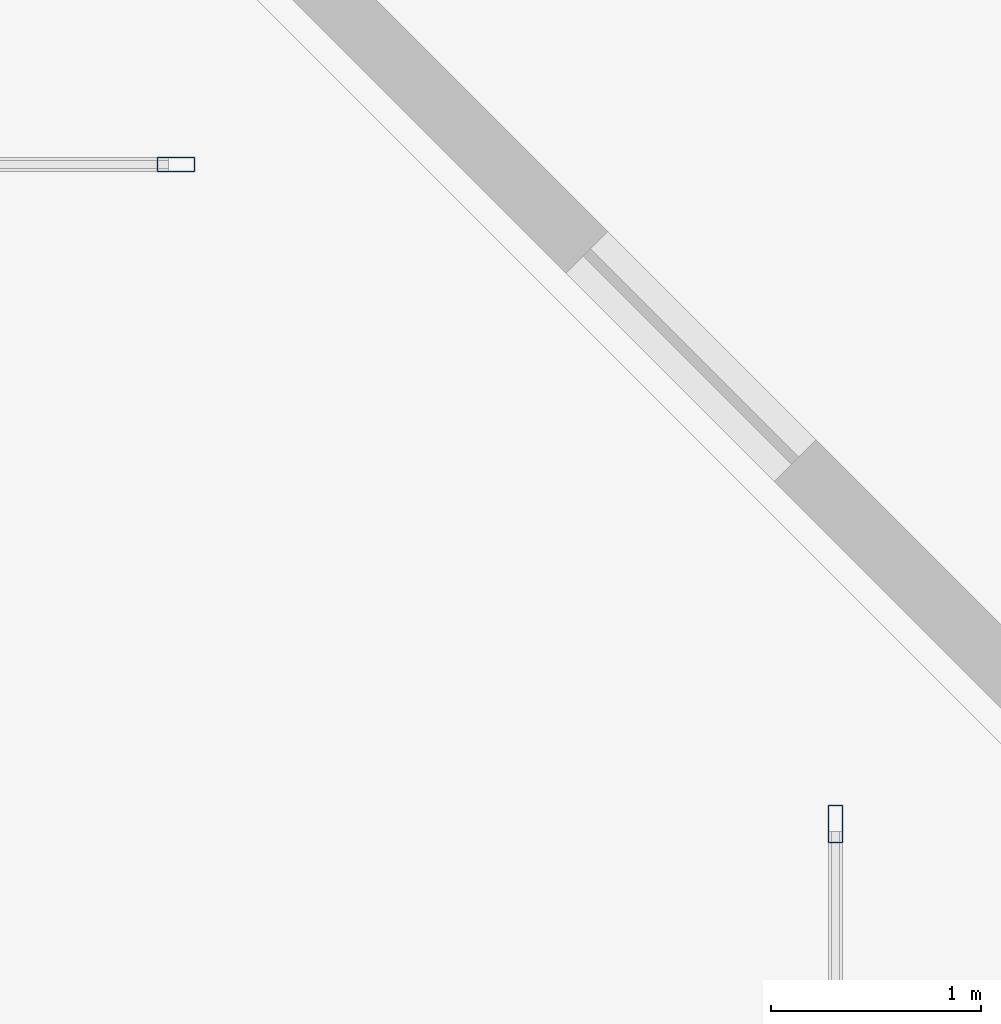
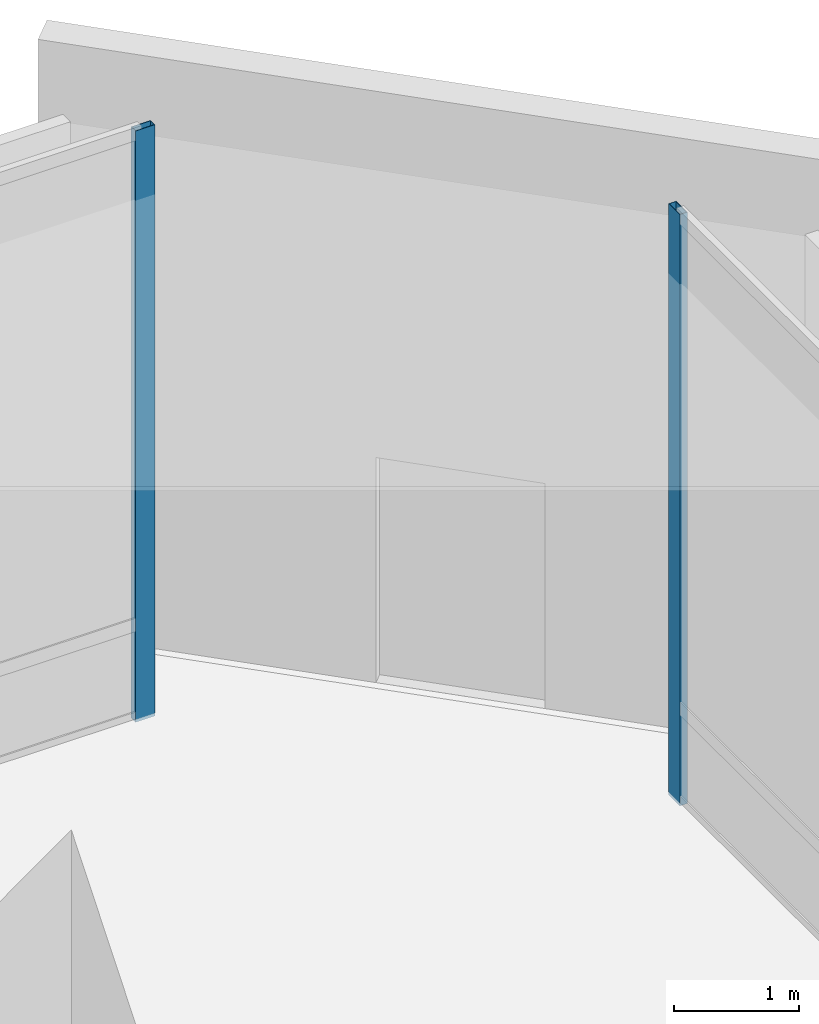
# One storey, part 26 of 40: 2 members, 2 elements without a shape of their own.
"""IFC4 building model written with IfcOpenShell, lengths in metres."""

from ifc_helpers import new_model, si_unit, direction, frame, origin, origin_2d, place, context, subcontext, project, spatial, hollow_rectangle, extrude, material, layer, layer_set, material_profile, profile_set, type_object, element, aggregate, save


model = new_model("IFC4")

# Units and contexts
model_context = context("Model", 3, precision=1e-05, world=origin(), true_north=direction((0.0, 1.0)))
body_context = subcontext(model_context, "Body", "Model", "MODEL_VIEW")
ifc_project = project(units=[si_unit("LENGTHUNIT", "METRE"), si_unit("AREAUNIT", "SQUARE_METRE"), si_unit("VOLUMEUNIT", "CUBIC_METRE"), si_unit("PLANEANGLEUNIT", "RADIAN"), si_unit("MASSUNIT", "GRAM", prefix="KILO")], contexts=[model_context])

# Site, building, storey
site_placement = place(None, origin())
site = spatial("IfcSite", under=ifc_project, at=site_placement, CompositionType="ELEMENT")
building_placement = place(site_placement, origin())
building = spatial("IfcBuilding", under=site, at=building_placement, Name="Qianvela Tower", CompositionType="ELEMENT")
storey_placement = place(building_placement, origin())
storey = spatial("IfcBuildingStorey", under=building, at=storey_placement, Name="L00", CompositionType="ELEMENT", Elevation=0.0)

# Curtain wall, member
ifc_material_1 = material(Name="Anodised Architectural Aluminium and Low-E Glass", Category="aluminium")
ifc_layer = layer(ifc_material_1, 0.199951171875)
ifc_layer_set = layer_set([ifc_layer], Name="Anodised Architectural Aluminium and Low-E Glass")
curtain_wall_type = type_object("IfcCurtainWallType", Name="CW-CONCOURSE", PredefinedType="USERDEFINED", material=ifc_layer_set)
curtain_wall_1_placement = place(storey_placement, origin())
curtain_wall_1 = element("IfcCurtainWall", 1, at=curtain_wall_1_placement, inside=storey, type_object=curtain_wall_type, Name="L00 CW-CONCOURSE Curtain Wall 03B", ObjectType="CURTAIN_WALL_SYSTEM", PredefinedType="USERDEFINED")
ifc_material_2 = material(Name="Anodised Architectural Aluminium 6063-T6", Category="aluminium")
ifc_material_profile = material_profile(ifc_material_2, hollow_rectangle(XDim=0.070068359375, YDim=0.179931640625, WallThickness=0.0048828125, at=origin_2d()), Name="ALU-MULL-70x180")
ifc_profile_set = profile_set([ifc_material_profile], Name="Anodised Architectural Aluminium 6063-T6")
member_type = type_object("IfcMemberType", Name="CW-CONCOURSE-MULL", PredefinedType="MULLION", material=ifc_profile_set)
member_1_placement = place(storey_placement, frame((72.050048828125, 45.9150390625, 0.0), z_axis=(0.0, 0.0, 1.0), x_axis=(-1.0, 0.0, 0.0)))
member_1 = element("IfcMember", 2, at=member_1_placement, type_object=member_type, Name="CW-1 mullion 3", PredefinedType="MULLION", context=body_context, shape_type="SweptSolid", body=[
    extrude(hollow_rectangle(XDim=0.070068359375, YDim=0.179931640625, WallThickness=0.0048828125, at=origin_2d()), origin(), (0.0, 0.0, 1.0), 5.780029296875),
])
aggregate(curtain_wall_1, [member_1])

curtain_wall_2_placement = place(storey_placement, origin())
curtain_wall_2 = element("IfcCurtainWall", 3, at=curtain_wall_2_placement, inside=storey, type_object=curtain_wall_type, Name="L00 CW-CONCOURSE Curtain Wall 05A", ObjectType="CURTAIN_WALL_SYSTEM", PredefinedType="USERDEFINED")
member_2_placement = place(storey_placement, frame((68.9150390625, 49.050048828125, 0.0), z_axis=(0.0, 0.0, 1.0), x_axis=(0.0, -1.0, 0.0)))
member_2 = element("IfcMember", 4, at=member_2_placement, type_object=member_type, Name="CW-1 mullion 1", PredefinedType="MULLION", context=body_context, shape_type="SweptSolid", body=[
    extrude(hollow_rectangle(XDim=0.070068359375, YDim=0.179931640625, WallThickness=0.0048828125, at=origin_2d()), origin(), (0.0, 0.0, 1.0), 5.780029296875),
])
aggregate(curtain_wall_2, [member_2])

save(model, "model.ifc")
